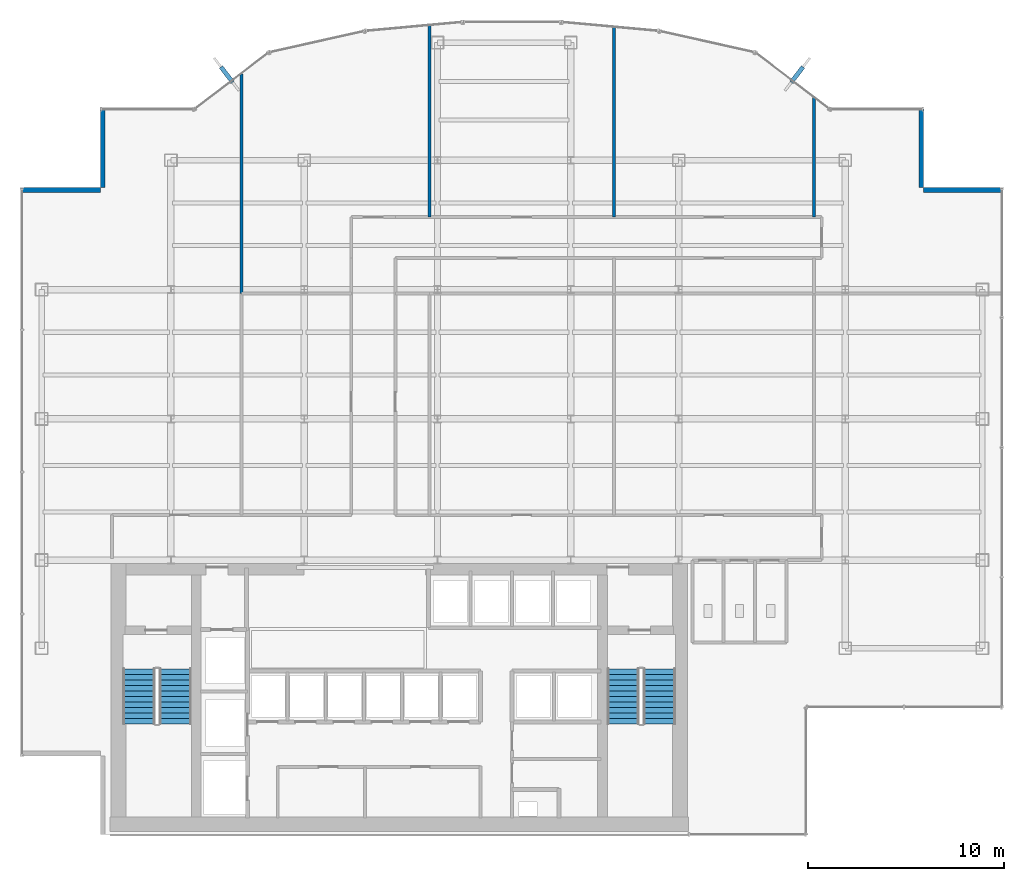
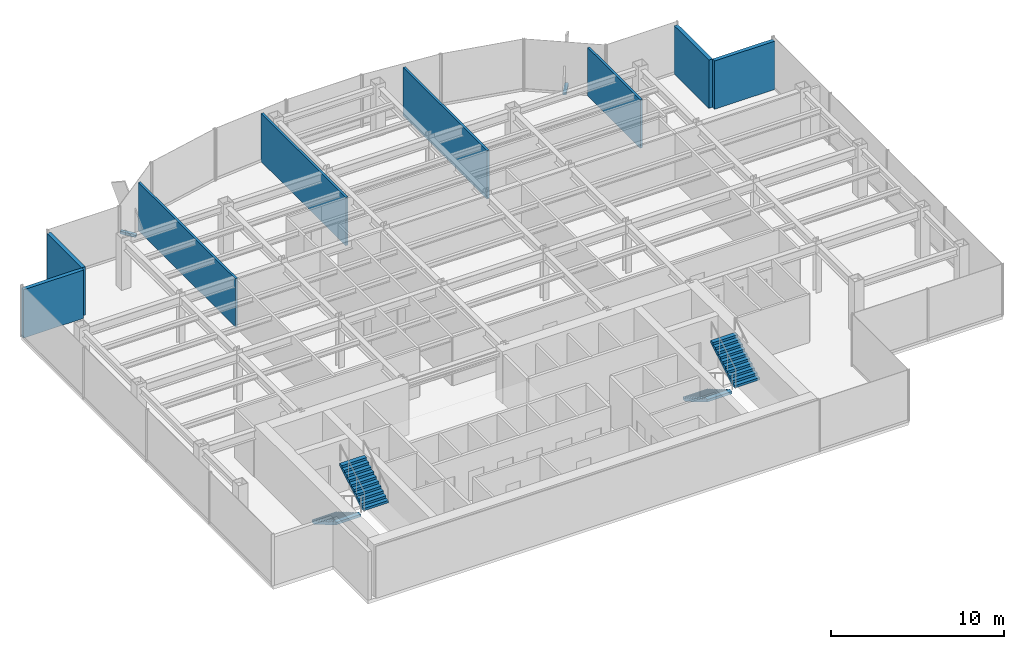
# One storey, part 22 of 25: 8 walls, 4 stair flights, 2 discrete accessories, 2 elements without a shape of their own.
"""IFC4 building model written with IfcOpenShell, lengths in metres."""

from ifc_helpers import new_model, si_unit, derived_unit, direction, frame, frame_2d, origin, origin_2d, place, context, subcontext, project, spatial, polyline, rectangle, outline, extrude, source, transform, mapped, material, layer, layer_set, type_object, element, aggregate, save


model = new_model("IFC4")

# Units and contexts
model_context = context("Model", 3, precision=1e-05, world=origin(), true_north=direction((0.0, 1.0)))
body_context = subcontext(model_context, "Body", "Model", "MODEL_VIEW")
ifc_project = project(units=[si_unit("LENGTHUNIT", "METRE"), si_unit("AREAUNIT", "SQUARE_METRE"), si_unit("VOLUMEUNIT", "CUBIC_METRE"), si_unit("PLANEANGLEUNIT", "RADIAN"), si_unit("MASSUNIT", "GRAM", prefix="KILO"), derived_unit("THERMALTRANSMITTANCEUNIT", [(si_unit("POWERUNIT", "WATT"), 1), (si_unit("LENGTHUNIT", "METRE"), -2), (si_unit("THERMODYNAMICTEMPERATUREUNIT", "KELVIN"), -1)])], contexts=[model_context])

# Site, building, storey
site_placement = place(None, origin())
site = spatial("IfcSite", under=ifc_project, at=site_placement, CompositionType="ELEMENT")
building_placement = place(site_placement, origin())
building = spatial("IfcBuilding", under=site, at=building_placement, Name="Skarnbrae Concourse Arena and Tower", CompositionType="ELEMENT")
storey_placement = place(building_placement, frame((0.0, 0.0, 158.85009765625)))
storey = spatial("IfcBuildingStorey", under=building, at=storey_placement, Name="L40", CompositionType="ELEMENT", Elevation=158.85009765625)

# Walls
ifc_material_1 = material(Name="Precast concrete 40 MPa (C40/50)", Category="concrete")
ifc_layer_1 = layer(ifc_material_1, 0.25)
ifc_layer_set_1 = layer_set([ifc_layer_1], Name="Precast concrete 40 MPa (C40/50)")
wall_type_1 = type_object("IfcWallType", Name="WALL-EXT-SPANDREL-250", PredefinedType="STANDARD", material=ifc_layer_set_1)
shared_shape_1 = source(origin(), body_context, "Body", "SweptSolid", [
    extrude(rectangle(XDim=4.0, YDim=0.25, at=frame_2d((2.0, 0.0))), origin(), (0.0, 0.0, 1.0), 3.39990234375),
])
for number, where, z_axis, x_axis, name in (
    (1, (50.0, 32.875, 0.0), (0.0, 0.0, 1.0), (-1.0, 0.0, 0.0), "L40 Notched corner insulated return wall 05"),
    (2, (45.875, 33.0, 0.0), (0.0, 0.0, 1.0), (0.0, 1.0, 0.0), "L40 Notched corner insulated return wall 06"),
    (3, (4.125, 37.0, 0.0), (0.0, 0.0, 1.0), (0.0, -1.0, 0.0), "L40 Notched corner insulated return wall 16"),
    (4, (4.0, 32.875, 0.0), (0.0, 0.0, 1.0), (-1.0, 0.0, 0.0), "L40 Notched corner insulated return wall 17"),
):
    element("IfcWall", number, at=place(storey_placement, frame(where, z_axis=z_axis, x_axis=x_axis)), inside=storey, type_object=wall_type_1, Name=name, PredefinedType="STANDARD", context=body_context, shape_type="MappedRepresentation", body=[
        mapped(shared_shape_1, transform((0.0, 0.0, 0.0))),
    ])
ifc_material_2 = material(Name="Gypsum board on cold-formed steel studs", Category="steel")
ifc_layer_2 = layer(ifc_material_2, 0.14990234375)
ifc_layer_set_2 = layer_set([ifc_layer_2], Name="Gypsum board on cold-formed steel studs")
wall_type_2 = type_object("IfcWallType", Name="WALL-PART-150", PredefinedType="PARTITIONING", material=ifc_layer_set_2)
shared_shape_2 = source(origin(), body_context, "Body", "SweptSolid", [
    extrude(rectangle(XDim=11.206298828125, YDim=0.14990234375, at=frame_2d((5.60302734375, 0.0))), origin(), (0.0, 0.0, 1.0), 3.39990234375),
])
wall_1_placement = place(storey_placement, frame((11.199951171875, 38.806396484375, 0.0), z_axis=(0.0, 0.0, 1.0), x_axis=(0.0, -1.0, 0.0)))
element("IfcWall", 5, at=wall_1_placement, inside=storey, type_object=wall_type_2, Name="L40 Interior partition wall W-L40-DEM-15", PredefinedType="PARTITIONING", context=body_context, shape_type="MappedRepresentation", body=[
    mapped(shared_shape_2, transform((0.0, 0.0, 0.0))),
])
shared_shape_3 = source(origin(), body_context, "Body", "SweptSolid", [
    extrude(rectangle(XDim=9.7705078125, YDim=0.14990234375, at=frame_2d((4.88525390625, 0.0))), origin(), (0.0, 0.0, 1.0), 3.39990234375),
])
wall_2_placement = place(storey_placement, frame((20.800048828125, 41.2705078125, 0.0), z_axis=(0.0, 0.0, 1.0), x_axis=(0.0, -1.0, 0.0)))
element("IfcWall", 6, at=wall_2_placement, inside=storey, type_object=wall_type_2, Name="L40 Interior partition wall W-L40-DEM-19", PredefinedType="PARTITIONING", context=body_context, shape_type="MappedRepresentation", body=[
    mapped(shared_shape_3, transform((0.0, 0.0, 0.0))),
])
shared_shape_4 = source(origin(), body_context, "Body", "SweptSolid", [
    extrude(rectangle(XDim=9.678955078125, YDim=0.14990234375, at=frame_2d((4.83935546875, 0.0))), origin(), (0.0, 0.0, 1.0), 3.39990234375),
])
wall_3_placement = place(storey_placement, frame((30.199951171875, 41.178955078125, 0.0), z_axis=(0.0, 0.0, 1.0), x_axis=(0.0, -1.0, 0.0)))
element("IfcWall", 7, at=wall_3_placement, inside=storey, type_object=wall_type_2, Name="L40 Interior partition wall W-L40-DEM-23", PredefinedType="PARTITIONING", context=body_context, shape_type="MappedRepresentation", body=[
    mapped(shared_shape_4, transform((0.0, 0.0, 0.0))),
])
shared_shape_5 = source(origin(), body_context, "Body", "SweptSolid", [
    extrude(rectangle(XDim=6.08544921875, YDim=0.14990234375, at=frame_2d((3.042724609375, 0.0))), origin(), (0.0, 0.0, 1.0), 3.39990234375),
])
wall_4_placement = place(storey_placement, frame((40.39990234375, 37.58544921875, 0.0), z_axis=(0.0, 0.0, 1.0), x_axis=(0.0, -1.0, 0.0)))
element("IfcWall", 8, at=wall_4_placement, inside=storey, type_object=wall_type_2, Name="L40 Interior partition wall W-L40-DEM-27", PredefinedType="PARTITIONING", context=body_context, shape_type="MappedRepresentation", body=[
    mapped(shared_shape_5, transform((0.0, 0.0, 0.0))),
])

# Stair, stair flights
ifc_material_3 = material(Name="Concrete 40 MPa (C40/50)", Category="concrete")
stair_type = type_object("IfcStairType", Name="STAIR-DOGLEG-1650", PredefinedType="HALF_TURN_STAIR", material=ifc_material_3)
stair_1_placement = place(storey_placement, origin())
stair_1 = element("IfcStair", 9, at=stair_1_placement, inside=storey, type_object=stair_type, Name="L40 Protected Exit Stair ST-1", PredefinedType="HALF_TURN_STAIR")
stair_flight_type = type_object("IfcStairFlightType", Name="FLIGHT-STRAIGHT-1650", PredefinedType="STRAIGHT", material=ifc_material_3)
shared_shape_6 = source(origin(), body_context, "Body", "SweptSolid", [
    extrude(outline(polyline([(0.0, 0.0), (0.0, 0.166015625), (0.280029296875, 0.166015625), (0.280029296875, 0.331787109375), (0.56005859375, 0.331787109375), (0.56005859375, 0.497802734375), (0.840087890625, 0.497802734375), (0.840087890625, 0.66357421875), (1.1201171875, 0.66357421875), (1.1201171875, 0.82958984375), (1.39990234375, 0.82958984375), (1.39990234375, 0.995361328125), (1.679931640625, 0.995361328125), (1.679931640625, 1.161376953125), (1.9599609375, 1.161376953125), (1.9599609375, 1.327392578125), (2.239990234375, 1.327392578125), (2.239990234375, 1.4931640625), (2.52001953125, 1.4931640625), (2.52001953125, 1.6591796875), (2.800048828125, 1.6591796875), (2.800048828125, 1.824951171875), (2.800048828125, 1.48486328125), (0.2939453125, 0.0), (0.0, 0.0)])), frame((0.0, 0.824951171875, 0.0), z_axis=(0.0, -1.0, 0.0), x_axis=(1.0, 0.0, 0.0)), (0.0, 0.0, 1.0), 1.64990234375),
])
stair_flight_1_placement = place(storey_placement, frame((5.97509765625, 8.449951171875, 0.0), z_axis=(0.0, 0.0, 1.0), x_axis=(0.0, -1.0, 0.0)))
stair_flight_1 = element("IfcStairFlight", 10, at=stair_flight_1_placement, type_object=stair_flight_type, Name="ST-1 flight 1", NumberOfRisers=11, NumberOfTreads=10, PredefinedType="STRAIGHT", RiserHeight=0.165909091, TreadLength=0.28, context=body_context, shape_type="MappedRepresentation", body=[
    mapped(shared_shape_6, transform((0.0, 0.0, 0.0))),
])
stair_flight_2_placement = place(storey_placement, frame((7.824951171875, 5.64990234375, 1.824951171875), z_axis=(0.0, 0.0, 1.0), x_axis=(0.0, 1.0, 0.0)))
stair_flight_2 = element("IfcStairFlight", 11, at=stair_flight_2_placement, type_object=stair_flight_type, Name="ST-1 flight 2", NumberOfRisers=11, NumberOfTreads=10, PredefinedType="STRAIGHT", RiserHeight=0.165909091, TreadLength=0.28, context=body_context, shape_type="MappedRepresentation", body=[
    mapped(shared_shape_6, transform((0.0, 0.0, 0.0))),
])
aggregate(stair_1, [stair_flight_1, stair_flight_2])

stair_2_placement = place(storey_placement, origin())
stair_2 = element("IfcStair", 12, at=stair_2_placement, inside=storey, type_object=stair_type, Name="L40 Protected Exit Stair ST-2", PredefinedType="HALF_TURN_STAIR")
stair_flight_3_placement = place(storey_placement, frame((30.675048828125, 8.449951171875, 0.0), z_axis=(0.0, 0.0, 1.0), x_axis=(0.0, -1.0, 0.0)))
stair_flight_3 = element("IfcStairFlight", 13, at=stair_flight_3_placement, type_object=stair_flight_type, Name="ST-2 flight 1", NumberOfRisers=11, NumberOfTreads=10, PredefinedType="STRAIGHT", RiserHeight=0.165909091, TreadLength=0.28, context=body_context, shape_type="MappedRepresentation", body=[
    mapped(shared_shape_6, transform((0.0, 0.0, 0.0))),
])
stair_flight_4_placement = place(storey_placement, frame((32.52490234375, 5.64990234375, 1.824951171875), z_axis=(0.0, 0.0, 1.0), x_axis=(0.0, 1.0, 0.0)))
stair_flight_4 = element("IfcStairFlight", 14, at=stair_flight_4_placement, type_object=stair_flight_type, Name="ST-2 flight 2", NumberOfRisers=11, NumberOfTreads=10, PredefinedType="STRAIGHT", RiserHeight=0.165909091, TreadLength=0.28, context=body_context, shape_type="MappedRepresentation", body=[
    mapped(shared_shape_6, transform((0.0, 0.0, 0.0))),
])
aggregate(stair_2, [stair_flight_3, stair_flight_4])

# Discrete accessories
ifc_material_4 = material(Name="Bronze anodised aluminium 6063-T6", Category="aluminium")
discrete_accessory_type = type_object("IfcDiscreteAccessoryType", Name="ACC-FIN-BRACKET", PredefinedType="BRACKET", material=ifc_material_4)
shared_shape_7 = source(origin(), body_context, "Body", "SweptSolid", [
    extrude(rectangle(XDim=0.219970703125, YDim=0.97998046875, at=origin_2d()), origin(), (0.0, 0.0, 1.0), 0.179931640625),
])
for number, where, z_axis, x_axis, name in (
    (15, (39.54736328125, 38.764404296875, -0.0302734375), (0.0, 0.0, 1.0), (0.794954941871, -0.606668476513, 0.0), "L40 Bronze fin foot support bracket 08"),
    (16, (10.45263671875, 38.764404296875, -0.0302734375), (0.0, 0.0, 1.0), (0.794954941871, 0.606668476513, 0.0), "L40 Bronze fin foot support bracket 14"),
):
    element("IfcDiscreteAccessory", number, at=place(storey_placement, frame(where, z_axis=z_axis, x_axis=x_axis)), inside=storey, type_object=discrete_accessory_type, Name=name, PredefinedType="BRACKET", context=body_context, shape_type="MappedRepresentation", body=[
        mapped(shared_shape_7, transform((0.0, 0.0, 0.0))),
    ])

save(model, "model.ifc")
